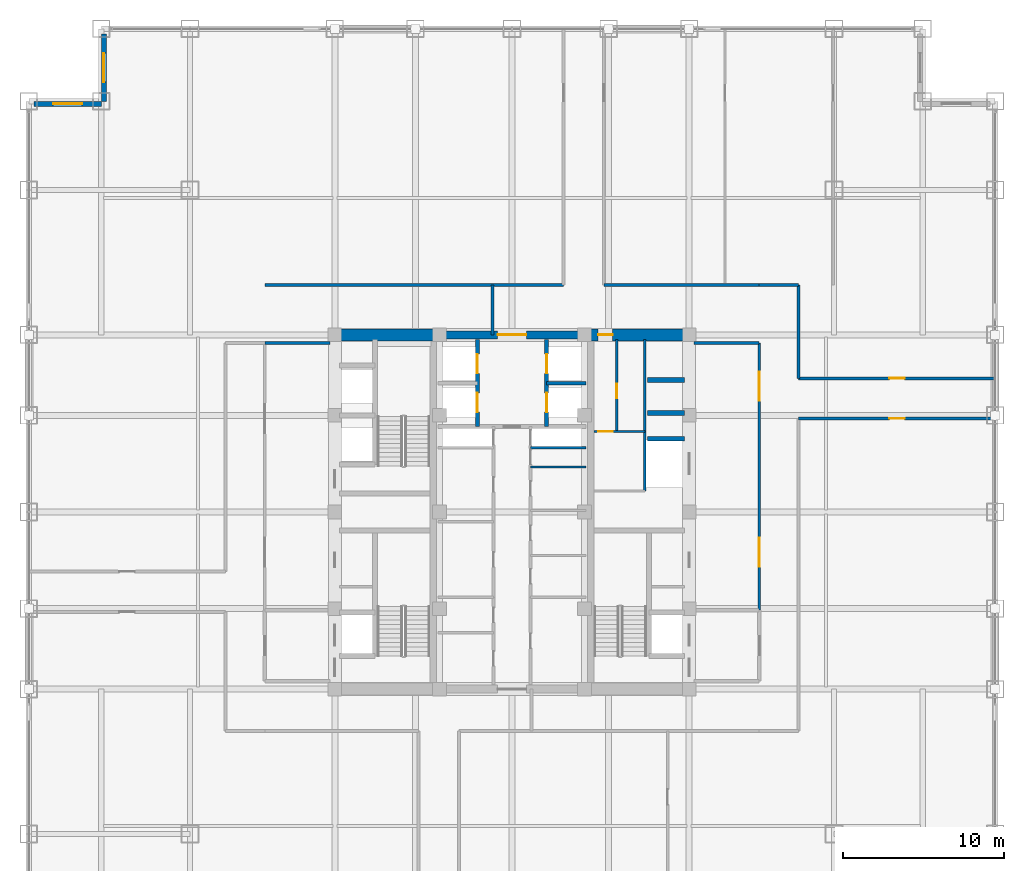
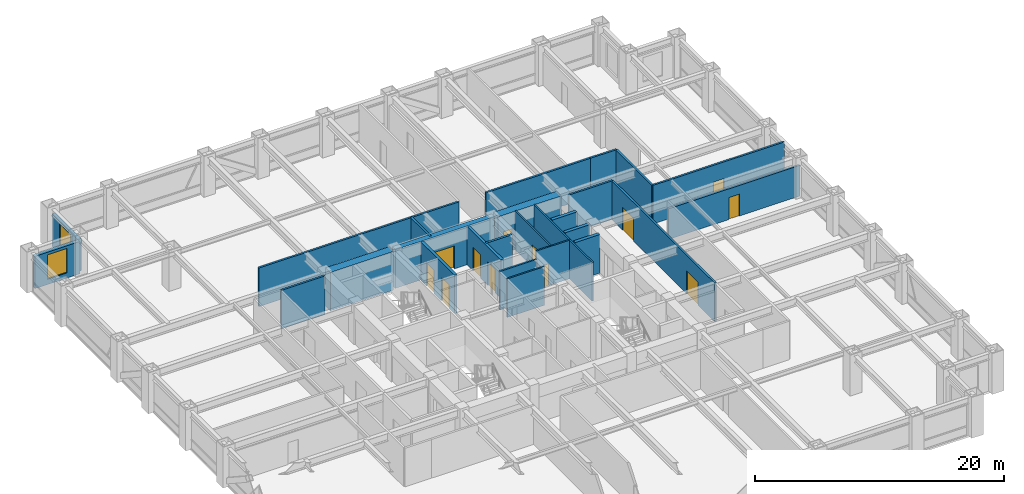
# One storey, part 22 of 24: 26 walls, 12 doors, 2 windows, 14 openings.
"""IFC4 building model written with IfcOpenShell, lengths in metres."""

from ifc_helpers import new_model, si_unit, direction, frame, frame_2d, origin, place, context, subcontext, project, spatial, rectangle, extrude, source, transform, mapped, material, layer, layer_set, type_object, element, fill, save


model = new_model("IFC4")

# Units and contexts
model_context = context("Model", 3, precision=1e-05, world=origin(), true_north=direction((0.0, 1.0)))
body_context = subcontext(model_context, "Body", "Model", "MODEL_VIEW")
ifc_project = project(units=[si_unit("LENGTHUNIT", "METRE"), si_unit("AREAUNIT", "SQUARE_METRE"), si_unit("VOLUMEUNIT", "CUBIC_METRE"), si_unit("PLANEANGLEUNIT", "RADIAN"), si_unit("MASSUNIT", "GRAM", prefix="KILO")], contexts=[model_context])

# Site, building, storey
site_placement = place(None, origin())
site = spatial("IfcSite", under=ifc_project, at=site_placement, CompositionType="ELEMENT")
building_placement = place(site_placement, origin())
building = spatial("IfcBuilding", under=site, at=building_placement, Name="Khorayat Bourse Tower", CompositionType="ELEMENT")
storey_placement = place(building_placement, frame((0.0, 0.0, 159.10009765625)))
storey = spatial("IfcBuildingStorey", under=building, at=storey_placement, Name="L36", CompositionType="ELEMENT", Elevation=159.10009765625)

# Wall
ifc_material_1 = material(Name="Concrete C72/90", Category="concrete")
ifc_layer_1 = layer(ifc_material_1, 0.75)
ifc_layer_set_1 = layer_set([ifc_layer_1], Name="Concrete C72/90")
wall_type_1 = type_object("IfcWallType", Name="WAL-CORE-750", PredefinedType="SHEAR", material=ifc_layer_set_1)
shared_shape_1 = source(origin(), body_context, "Body", "SweptSolid", [
    extrude(rectangle(XDim=5.849853515625, YDim=0.75, at=frame_2d((2.9248046875, 0.0))), origin(), (0.0, 0.0, 1.0), 3.77978515625),
])
wall_1_placement = place(storey_placement, frame((-10.699951171875, 11.0, 0.0), z_axis=(0.0, 0.0, 1.0), x_axis=(1.0, 0.0, 0.0)))
element("IfcWall", 1, at=wall_1_placement, inside=storey, type_object=wall_type_1, Name="L36 Core Shear Wall PIER-WN", PredefinedType="SHEAR", context=body_context, shape_type="MappedRepresentation", body=[
    mapped(shared_shape_1, transform((0.0, 0.0, 0.0), scale=1.0)),
])

# Wall, opening, door
wall_2_placement = place(storey_placement, frame((4.85009765625, 11.0, 0.0), z_axis=(0.0, 0.0, 1.0), x_axis=(1.0, 0.0, 0.0)))
wall_2 = element("IfcWall", 2, at=wall_2_placement, inside=storey, type_object=wall_type_1, Name="L36 Core Shear Wall PIER-EN", PredefinedType="SHEAR", context=body_context, shape_type="MappedRepresentation", body=[
    mapped(shared_shape_1, transform((0.0, 0.0, 0.0), scale=1.0)),
])
shared_shape_2 = source(origin(), body_context, "Body", "SweptSolid", [
    extrude(rectangle(XDim=0.89990234375, YDim=2.14990234375, at=frame_2d((0.449951171875, 1.074951171875))), frame((0.0, 0.385009765625, 0.0), z_axis=(0.0, -1.0, 0.0), x_axis=(1.0, 0.0, 0.0)), (0.0, 0.0, 1.0), 0.77001953125),
])
opening_1_placement = place(wall_2_placement, frame((0.5, 0.0, 0.0)))
opening_1 = element("IfcOpeningElement", 3, at=opening_1_placement, cuts=wall_2, Name="Opening DI-06", PredefinedType="OPENING", context=body_context, shape_type="MappedRepresentation", body=[
    mapped(shared_shape_2, transform((0.0, 0.0, 0.0), scale=1.0)),
])
ifc_material_2 = material(Name="Moisture-resistant laminate washroom door")
door_type_1 = type_object("IfcDoorType", Name="DR-INT-WC-900", OperationType="NOTDEFINED", PredefinedType="DOOR", material=ifc_material_2)
shared_shape_3 = source(origin(), body_context, "Body", "SweptSolid", [
    extrude(rectangle(XDim=0.89990234375, YDim=2.14990234375, at=frame_2d((0.449951171875, 1.074951171875))), frame((0.0, 0.02490234375, 0.0), z_axis=(0.0, -1.0, 0.0), x_axis=(1.0, 0.0, 0.0)), (0.0, 0.0, 1.0), 0.050048828125),
])
door_1_placement = place(opening_1_placement, origin())
door_1 = element("IfcDoor", 4, at=door_1_placement, inside=storey, type_object=door_type_1, Name="L36 Core Washroom Lobby Door", OperationType="SINGLE_SWING_LEFT", OverallHeight=2.14990234375, OverallWidth=0.89990234375, PredefinedType="DOOR", context=body_context, shape_type="MappedRepresentation", body=[
    mapped(shared_shape_3, transform((0.0, 0.0, 0.0), scale=1.0)),
])
fill(opening_1, door_1)

ifc_material_3 = material(Name="Concrete C52/65", Category="concrete")
ifc_layer_2 = layer(ifc_material_3, 0.5)
ifc_layer_set_2 = layer_set([ifc_layer_2], Name="Concrete C52/65")
wall_type_2 = type_object("IfcWallType", Name="WAL-CORE-500", PredefinedType="SHEAR", material=ifc_layer_set_2)
shared_shape_4 = source(origin(), body_context, "Body", "SweptSolid", [
    extrude(rectangle(XDim=9.2001953125, YDim=0.5, at=frame_2d((4.60009765625, 0.0))), origin(), (0.0, 0.0, 1.0), 3.77978515625),
])
wall_3_placement = place(storey_placement, frame((-4.60009765625, 11.0, 0.0), z_axis=(0.0, 0.0, 1.0), x_axis=(1.0, 0.0, 0.0)))
wall_3 = element("IfcWall", 5, at=wall_3_placement, inside=storey, type_object=wall_type_2, Name="L36 Core Shear Wall CORE-N", PredefinedType="SHEAR", context=body_context, shape_type="MappedRepresentation", body=[
    mapped(shared_shape_4, transform((0.0, 0.0, 0.0), scale=1.0)),
])
shared_shape_5 = source(origin(), body_context, "Body", "SweptSolid", [
    extrude(rectangle(XDim=1.800048828125, YDim=2.25, at=frame_2d((0.89990234375, 1.125))), frame((0.0, 0.260009765625, 0.0), z_axis=(0.0, -1.0, 0.0), x_axis=(1.0, 0.0, 0.0)), (0.0, 0.0, 1.0), 0.52001953125),
])
opening_2_placement = place(wall_3_placement, frame((3.699951171875, 0.0, 0.0)))
opening_2 = element("IfcOpeningElement", 6, at=opening_2_placement, cuts=wall_3, Name="Opening DI-03", PredefinedType="OPENING", context=body_context, shape_type="MappedRepresentation", body=[
    mapped(shared_shape_5, transform((0.0, 0.0, 0.0), scale=1.0)),
])
ifc_material_4 = material(Name="Fire-rated hardwood vision-panel double leaf", Category="wood")
door_type_2 = type_object("IfcDoorType", Name="DR-INT-CORR-1800", OperationType="NOTDEFINED", PredefinedType="DOOR", material=ifc_material_4)
shared_shape_6 = source(origin(), body_context, "Body", "SweptSolid", [
    extrude(rectangle(XDim=1.800048828125, YDim=2.25, at=frame_2d((0.89990234375, 1.125))), frame((0.0, 0.02490234375, 0.0), z_axis=(0.0, -1.0, 0.0), x_axis=(1.0, 0.0, 0.0)), (0.0, 0.0, 1.0), 0.050048828125),
])
door_2_placement = place(opening_2_placement, origin())
door_2 = element("IfcDoor", 7, at=door_2_placement, inside=storey, type_object=door_type_2, Name="L36 Mid-Rise Lift Lobby Door", OperationType="SINGLE_SWING_RIGHT", OverallHeight=2.25, OverallWidth=1.800048828125, PredefinedType="DOOR", context=body_context, shape_type="MappedRepresentation", body=[
    mapped(shared_shape_6, transform((0.0, 0.0, 0.0), scale=1.0)),
])
fill(opening_2, door_2)

# Wall, opening, window
ifc_material_5 = material(Name="Precast concrete C45/55", Category="concrete")
ifc_layer_3 = layer(ifc_material_5, 0.320068359375)
ifc_layer_set_3 = layer_set([ifc_layer_3], Name="Precast concrete C45/55")
wall_type_3 = type_object("IfcWallType", Name="WAL-EXT-STONE-320", PredefinedType="STANDARD", material=ifc_layer_set_3)
shared_shape_7 = source(origin(), body_context, "Body", "SweptSolid", [
    extrude(rectangle(XDim=4.179931640625, YDim=0.320068359375, at=frame_2d((2.08984375, 0.0))), origin(), (0.0, 0.0, 1.0), 3.163818359375),
])
wall_4_placement = place(storey_placement, frame((-25.340087890625, 25.5, 0.0), z_axis=(0.0, 0.0, 1.0), x_axis=(0.0, 1.0, 0.0)))
wall_4 = element("IfcWall", 8, at=wall_4_placement, inside=storey, type_object=wall_type_3, Name="L36 Re-Entrant Notch Limestone Wall NW-V", PredefinedType="STANDARD", context=body_context, shape_type="MappedRepresentation", body=[
    mapped(shared_shape_7, transform((0.0, 0.0, 0.0), scale=1.0)),
])
shared_shape_8 = source(origin(), body_context, "Body", "SweptSolid", [
    extrude(rectangle(XDim=1.800048828125, YDim=2.39990234375, at=frame_2d((0.89990234375, 1.199951171875))), frame((0.0, 0.169921875, 0.0), z_axis=(0.0, -1.0, 0.0), x_axis=(1.0, 0.0, 0.0)), (0.0, 0.0, 1.0), 0.340087890625),
])
opening_3_placement = place(wall_4_placement, frame((1.18994140625, 0.0, 0.5)))
opening_3 = element("IfcOpeningElement", 9, at=opening_3_placement, cuts=wall_4, Name="Opening WN-04", PredefinedType="OPENING", context=body_context, shape_type="MappedRepresentation", body=[
    mapped(shared_shape_8, transform((0.0, 0.0, 0.0), scale=1.0)),
])
ifc_material_6 = material(Name="Low-E acoustic laminated double glazing", Category="glass")
window_type = type_object("IfcWindowType", Name="WIN-NOTCH-1800x2400", PartitioningType="SINGLE_PANEL", PredefinedType="WINDOW", material=ifc_material_6)
shared_shape_9 = source(origin(), body_context, "Body", "SweptSolid", [
    extrude(rectangle(XDim=1.800048828125, YDim=2.39990234375, at=frame_2d((0.89990234375, 1.199951171875))), frame((0.0, 0.030029296875, 0.0), z_axis=(0.0, -1.0, 0.0), x_axis=(1.0, 0.0, 0.0)), (0.0, 0.0, 1.0), 0.06005859375),
])
window_1_placement = place(opening_3_placement, origin())
window_1 = element("IfcWindow", 10, at=window_1_placement, inside=storey, type_object=window_type, Name="L36 Facade Window 1", OverallHeight=2.39990234375, OverallWidth=1.800048828125, PartitioningType="SINGLE_PANEL", PredefinedType="WINDOW", context=body_context, shape_type="MappedRepresentation", body=[
    mapped(shared_shape_9, transform((0.0, 0.0, 0.0), scale=1.0)),
])
fill(opening_3, window_1)

wall_5_placement = place(storey_placement, frame((-25.5, 25.340087890625, 0.0), z_axis=(0.0, 0.0, 1.0), x_axis=(-1.0, 0.0, 0.0)))
wall_5 = element("IfcWall", 11, at=wall_5_placement, inside=storey, type_object=wall_type_3, Name="L36 Re-Entrant Notch Limestone Wall NW-H", PredefinedType="STANDARD", context=body_context, shape_type="MappedRepresentation", body=[
    mapped(shared_shape_7, transform((0.0, 0.0, 0.0), scale=1.0)),
])
opening_4_placement = place(wall_5_placement, frame((1.18994140625, 0.0, 0.5)))
opening_4 = element("IfcOpeningElement", 12, at=opening_4_placement, cuts=wall_5, Name="Opening WN-04", PredefinedType="OPENING", context=body_context, shape_type="MappedRepresentation", body=[
    mapped(shared_shape_8, transform((0.0, 0.0, 0.0), scale=1.0)),
])
window_2_placement = place(opening_4_placement, origin())
window_2 = element("IfcWindow", 13, at=window_2_placement, inside=storey, type_object=window_type, Name="L36 Facade Window 1", OverallHeight=2.39990234375, OverallWidth=1.800048828125, PartitioningType="SINGLE_PANEL", PredefinedType="WINDOW", context=body_context, shape_type="MappedRepresentation", body=[
    mapped(shared_shape_9, transform((0.0, 0.0, 0.0), scale=1.0)),
])
fill(opening_4, window_2)

# Walls
ifc_material_7 = material(Name="Concrete C50/60", Category="concrete")
ifc_layer_4 = layer(ifc_material_7, 0.300048828125)
ifc_layer_set_4 = layer_set([ifc_layer_4], Name="Concrete C50/60")
wall_type_4 = type_object("IfcWallType", Name="WAL-SHAFT-300", PredefinedType="SHEAR", material=ifc_layer_set_4)
shared_shape_10 = source(origin(), body_context, "Body", "SweptSolid", [
    extrude(rectangle(XDim=2.300048828125, YDim=0.300048828125, at=frame_2d((1.14990234375, 0.0))), origin(), (0.0, 0.0, 1.0), 3.77978515625),
])
for number, where, z_axis, x_axis, name in (
    (14, (8.39990234375, 4.550048828125, 0.0), (0.0, 0.0, 1.0), (1.0, 0.0, 0.0), "L36 Partition WAL-L36-EPIER-SVLN"),
    (15, (8.39990234375, 6.14990234375, 0.0), (0.0, 0.0, 1.0), (1.0, 0.0, 0.0), "L36 Partition WAL-L36-EPIER-H3S"),
    (16, (8.39990234375, 8.199951171875, 0.0), (0.0, 0.0, 1.0), (1.0, 0.0, 0.0), "L36 Partition WAL-L36-EPIER-H34"),
):
    element("IfcWall", number, at=place(storey_placement, frame(where, z_axis=z_axis, x_axis=x_axis)), inside=storey, type_object=wall_type_4, Name=name, PredefinedType="SHEAR", context=body_context, shape_type="MappedRepresentation", body=[
        mapped(shared_shape_10, transform((0.0, 0.0, 0.0), scale=1.0)),
    ])
ifc_material_8 = material(Name="Moisture-resistant masonry partition", Category="masonry")
ifc_layer_5 = layer(ifc_material_8, 0.139892578125)
ifc_layer_set_5 = layer_set([ifc_layer_5], Name="Moisture-resistant masonry partition")
wall_type_5 = type_object("IfcWallType", Name="WAL-PART-WET-140", PredefinedType="PARTITIONING", material=ifc_layer_set_5)
shared_shape_11 = source(origin(), body_context, "Body", "SweptSolid", [
    extrude(rectangle(XDim=9.39990234375, YDim=0.139892578125, at=frame_2d((4.699951171875, 0.0))), origin(), (0.0, 0.0, 1.0), 3.77978515625),
])
wall_6_placement = place(storey_placement, frame((8.25, 1.300048828125, 0.0), z_axis=(0.0, 0.0, 1.0), x_axis=(0.0, 1.0, 0.0)))
element("IfcWall", 17, at=wall_6_placement, inside=storey, type_object=wall_type_5, Name="L36 Partition WAL-L36-ECORE-E", PredefinedType="PARTITIONING", context=body_context, shape_type="MappedRepresentation", body=[
    mapped(shared_shape_11, transform((0.0, 0.0, 0.0), scale=1.0)),
])

# Wall, opening, door
shared_shape_12 = source(origin(), body_context, "Body", "SweptSolid", [
    extrude(rectangle(XDim=3.14990234375, YDim=0.139892578125, at=frame_2d((1.574951171875, 0.0))), origin(), (0.0, 0.0, 1.0), 3.77978515625),
])
wall_7_placement = place(storey_placement, frame((5.10009765625, 5.0, 0.0), z_axis=(0.0, 0.0, 1.0), x_axis=(1.0, 0.0, 0.0)))
wall_7 = element("IfcWall", 18, at=wall_7_placement, inside=storey, type_object=wall_type_5, Name="L36 Partition WAL-L36-ECW-BOT", PredefinedType="PARTITIONING", context=body_context, shape_type="MappedRepresentation", body=[
    mapped(shared_shape_12, transform((0.0, 0.0, 0.0), scale=1.0)),
])
shared_shape_13 = source(origin(), body_context, "Body", "SweptSolid", [
    extrude(rectangle(XDim=0.89990234375, YDim=2.14990234375, at=frame_2d((0.449951171875, 1.074951171875))), frame((0.0, 0.079833984375, 0.0), z_axis=(0.0, -1.0, 0.0), x_axis=(1.0, 0.0, 0.0)), (0.0, 0.0, 1.0), 0.159912109375),
])
opening_5_placement = place(wall_7_placement, frame((0.25, 0.0, 0.0)))
opening_5 = element("IfcOpeningElement", 19, at=opening_5_placement, cuts=wall_7, Name="Opening DI-06", PredefinedType="OPENING", context=body_context, shape_type="MappedRepresentation", body=[
    mapped(shared_shape_13, transform((0.0, 0.0, 0.0), scale=1.0)),
])
door_3_placement = place(opening_5_placement, origin())
door_3 = element("IfcDoor", 20, at=door_3_placement, inside=storey, type_object=door_type_1, Name="L36 Shared Washroom Door", OperationType="SINGLE_SWING_LEFT", OverallHeight=2.14990234375, OverallWidth=0.89990234375, PredefinedType="DOOR", context=body_context, shape_type="MappedRepresentation", body=[
    mapped(shared_shape_3, transform((0.0, 0.0, 0.0), scale=1.0)),
])
fill(opening_5, door_3)

# Walls
ifc_material_9 = material(Name="Gypsum plasterboard acoustic stud wall")
ifc_layer_6 = layer(ifc_material_9, 0.179931640625)
ifc_layer_set_6 = layer_set([ifc_layer_6], Name="Gypsum plasterboard acoustic stud wall")
wall_type_6 = type_object("IfcWallType", Name="WAL-PART-CORR-180", PredefinedType="PARTITIONING", material=ifc_layer_set_6)
shared_shape_14 = source(origin(), body_context, "Body", "SweptSolid", [
    extrude(rectangle(XDim=4.050048828125, YDim=0.179931640625, at=frame_2d((2.02490234375, 0.0))), origin(), (0.0, 0.0, 1.0), 3.77978515625),
])
for number, where, z_axis, x_axis, name in (
    (21, (-15.35009765625, 10.5, 0.0), (0.0, 0.0, 1.0), (1.0, 0.0, 0.0), "L36 Partition WAL-L36-WLOB-N"),
    (22, (11.300048828125, 10.5, 0.0), (0.0, 0.0, 1.0), (1.0, 0.0, 0.0), "L36 Partition WAL-L36-ELOB-N"),
):
    element("IfcWall", number, at=place(storey_placement, frame(where, z_axis=z_axis, x_axis=x_axis)), inside=storey, type_object=wall_type_6, Name=name, PredefinedType="PARTITIONING", context=body_context, shape_type="MappedRepresentation", body=[
        mapped(shared_shape_14, transform((0.0, 0.0, 0.0), scale=1.0)),
    ])

# Wall, openings, doors
shared_shape_15 = source(origin(), body_context, "Body", "SweptSolid", [
    extrude(rectangle(XDim=16.60009765625, YDim=0.179931640625, at=frame_2d((8.300048828125, 0.0))), origin(), (0.0, 0.0, 1.0), 3.77978515625),
])
wall_8_placement = place(storey_placement, frame((15.35009765625, -6.10009765625, 0.0), z_axis=(0.0, 0.0, 1.0), x_axis=(0.0, 1.0, 0.0)))
wall_8 = element("IfcWall", 23, at=wall_8_placement, inside=storey, type_object=wall_type_6, Name="L36 Partition WAL-L36-ELOB-E", PredefinedType="PARTITIONING", context=body_context, shape_type="MappedRepresentation", body=[
    mapped(shared_shape_15, transform((0.0, 0.0, 0.0), scale=1.0)),
])
shared_shape_16 = source(origin(), body_context, "Body", "SweptSolid", [
    extrude(rectangle(XDim=1.800048828125, YDim=2.25, at=frame_2d((0.89990234375, 1.125))), frame((0.0, 0.099853515625, 0.0), z_axis=(0.0, -1.0, 0.0), x_axis=(1.0, 0.0, 0.0)), (0.0, 0.0, 1.0), 0.199951171875),
])
opening_6_placement = place(wall_8_placement, frame((2.699951171875, 0.0, 0.0)))
opening_6 = element("IfcOpeningElement", 24, at=opening_6_placement, cuts=wall_8, Name="Opening DI-03", PredefinedType="OPENING", context=body_context, shape_type="MappedRepresentation", body=[
    mapped(shared_shape_16, transform((0.0, 0.0, 0.0), scale=1.0)),
])
opening_7_placement = place(wall_8_placement, frame((13.0, 0.0, 0.0)))
opening_7 = element("IfcOpeningElement", 25, at=opening_7_placement, cuts=wall_8, Name="Opening DI-03", PredefinedType="OPENING", context=body_context, shape_type="MappedRepresentation", body=[
    mapped(shared_shape_16, transform((0.0, 0.0, 0.0), scale=1.0)),
])
door_4_placement = place(opening_6_placement, origin())
door_4 = element("IfcDoor", 26, at=door_4_placement, inside=storey, type_object=door_type_2, Name="L36 East Core Lobby South Door", OperationType="SINGLE_SWING_RIGHT", OverallHeight=2.25, OverallWidth=1.800048828125, PredefinedType="DOOR", context=body_context, shape_type="MappedRepresentation", body=[
    mapped(shared_shape_6, transform((0.0, 0.0, 0.0), scale=1.0)),
])
fill(opening_6, door_4)
door_5_placement = place(opening_7_placement, origin())
door_5 = element("IfcDoor", 27, at=door_5_placement, inside=storey, type_object=door_type_2, Name="L36 East Core Lobby North Door", OperationType="SINGLE_SWING_LEFT", OverallHeight=2.25, OverallWidth=1.800048828125, PredefinedType="DOOR", context=body_context, shape_type="MappedRepresentation", body=[
    mapped(shared_shape_6, transform((0.0, 0.0, 0.0), scale=1.0)),
])
fill(opening_7, door_5)

# Walls
ifc_material_10 = material(Name="Gypsum plasterboard twin-frame partition")
ifc_layer_7 = layer(ifc_material_10, 0.14990234375)
ifc_layer_set_7 = layer_set([ifc_layer_7], Name="Gypsum plasterboard twin-frame partition")
wall_type_7 = type_object("IfcWallType", Name="WAL-PART-SUITE-150", PredefinedType="PARTITIONING", material=ifc_layer_set_7)
shared_shape_17 = source(origin(), body_context, "Body", "SweptSolid", [
    extrude(rectangle(XDim=3.4501953125, YDim=0.14990234375, at=frame_2d((1.72509765625, 0.0))), origin(), (0.0, 0.0, 1.0), 3.77978515625),
])
wall_9_placement = place(storey_placement, frame((1.14990234375, 4.0, 0.0), z_axis=(0.0, 0.0, 1.0), x_axis=(1.0, 0.0, 0.0)))
element("IfcWall", 28, at=wall_9_placement, inside=storey, type_object=wall_type_7, Name="L36 Partition WAL-L36-CRSE-S", PredefinedType="PARTITIONING", context=body_context, shape_type="MappedRepresentation", body=[
    mapped(shared_shape_17, transform((0.0, 0.0, 0.0), scale=1.0)),
])
shared_shape_18 = source(origin(), body_context, "Body", "SweptSolid", [
    extrude(rectangle(XDim=3.4501953125, YDim=0.139892578125, at=frame_2d((1.72509765625, 0.0))), origin(), (0.0, 0.0, 1.0), 3.77978515625),
])
wall_10_placement = place(storey_placement, frame((1.14990234375, 2.800048828125, 0.0), z_axis=(0.0, 0.0, 1.0), x_axis=(1.0, 0.0, 0.0)))
element("IfcWall", 29, at=wall_10_placement, inside=storey, type_object=wall_type_5, Name="L36 Partition WAL-L36-CME-D3", PredefinedType="PARTITIONING", context=body_context, shape_type="MappedRepresentation", body=[
    mapped(shared_shape_18, transform((0.0, 0.0, 0.0), scale=1.0)),
])

# Wall, openings, doors
shared_shape_19 = source(origin(), body_context, "Body", "SweptSolid", [
    extrude(rectangle(XDim=5.39990234375, YDim=0.25, at=frame_2d((2.699951171875, 0.0))), origin(), (0.0, 0.0, 1.0), 3.77978515625),
])
wall_11_placement = place(storey_placement, frame((-2.14990234375, 5.300048828125, 0.0), z_axis=(0.0, 0.0, 1.0), x_axis=(0.0, 1.0, 0.0)))
wall_11 = element("IfcWall", 30, at=wall_11_placement, inside=storey, type_object=wall_type_4, Name="L36 Partition WAL-L36-B2-W", PredefinedType="SHEAR", context=body_context, shape_type="MappedRepresentation", body=[
    mapped(shared_shape_19, transform((0.0, 0.0, 0.0), scale=1.0)),
])
shared_shape_20 = source(origin(), body_context, "Body", "SweptSolid", [
    extrude(rectangle(XDim=1.199951171875, YDim=2.300048828125, at=frame_2d((0.60009765625, 1.14990234375))), frame((0.0, 0.135009765625, 0.0), z_axis=(0.0, -1.0, 0.0), x_axis=(1.0, 0.0, 0.0)), (0.0, 0.0, 1.0), 0.27001953125),
])
opening_8_placement = place(wall_11_placement, frame((3.300048828125, 0.0, 0.0)))
opening_8 = element("IfcOpeningElement", 31, at=opening_8_placement, cuts=wall_11, Name="Opening LD-01", PredefinedType="OPENING", context=body_context, shape_type="MappedRepresentation", body=[
    mapped(shared_shape_20, transform((0.0, 0.0, 0.0), scale=1.0)),
])
opening_9_placement = place(wall_11_placement, frame((0.89990234375, 0.0, 0.0)))
opening_9 = element("IfcOpeningElement", 32, at=opening_9_placement, cuts=wall_11, Name="Opening LD-01", PredefinedType="OPENING", context=body_context, shape_type="MappedRepresentation", body=[
    mapped(shared_shape_20, transform((0.0, 0.0, 0.0), scale=1.0)),
])
ifc_material_11 = material(Name="Brushed bronze stainless-steel sliding door", Category="steel")
door_type_3 = type_object("IfcDoorType", Name="DR-LIFT-PASS-1200", OperationType="NOTDEFINED", PredefinedType="DOOR", material=ifc_material_11)
shared_shape_21 = source(origin(), body_context, "Body", "SweptSolid", [
    extrude(rectangle(XDim=1.199951171875, YDim=2.300048828125, at=frame_2d((0.60009765625, 1.14990234375))), frame((0.0, 0.02490234375, 0.0), z_axis=(0.0, -1.0, 0.0), x_axis=(1.0, 0.0, 0.0)), (0.0, 0.0, 1.0), 0.050048828125),
])
door_6_placement = place(opening_8_placement, origin())
door_6 = element("IfcDoor", 33, at=door_6_placement, inside=storey, type_object=door_type_3, Name="L36 Lift PL-M1 Sliding Landing Door", OperationType="SLIDING_TO_LEFT", OverallHeight=2.300048828125, OverallWidth=1.199951171875, PredefinedType="DOOR", context=body_context, shape_type="MappedRepresentation", body=[
    mapped(shared_shape_21, transform((0.0, 0.0, 0.0), scale=1.0)),
])
fill(opening_8, door_6)
door_7_placement = place(opening_9_placement, origin())
door_7 = element("IfcDoor", 34, at=door_7_placement, inside=storey, type_object=door_type_3, Name="L36 Lift PL-M3 Sliding Landing Door", OperationType="SLIDING_TO_LEFT", OverallHeight=2.300048828125, OverallWidth=1.199951171875, PredefinedType="DOOR", context=body_context, shape_type="MappedRepresentation", body=[
    mapped(shared_shape_21, transform((0.0, 0.0, 0.0), scale=1.0)),
])
fill(opening_9, door_7)

wall_12_placement = place(storey_placement, frame((2.14990234375, 5.300048828125, 0.0), z_axis=(0.0, 0.0, 1.0), x_axis=(0.0, 1.0, 0.0)))
wall_12 = element("IfcWall", 35, at=wall_12_placement, inside=storey, type_object=wall_type_4, Name="L36 Partition WAL-L36-B2-E", PredefinedType="SHEAR", context=body_context, shape_type="MappedRepresentation", body=[
    mapped(shared_shape_19, transform((0.0, 0.0, 0.0), scale=1.0)),
])
opening_10_placement = place(wall_12_placement, frame((3.300048828125, 0.0, 0.0)))
opening_10 = element("IfcOpeningElement", 36, at=opening_10_placement, cuts=wall_12, Name="Opening LD-01", PredefinedType="OPENING", context=body_context, shape_type="MappedRepresentation", body=[
    mapped(shared_shape_20, transform((0.0, 0.0, 0.0), scale=1.0)),
])
opening_11_placement = place(wall_12_placement, frame((0.89990234375, 0.0, 0.0)))
opening_11 = element("IfcOpeningElement", 37, at=opening_11_placement, cuts=wall_12, Name="Opening LD-01", PredefinedType="OPENING", context=body_context, shape_type="MappedRepresentation", body=[
    mapped(shared_shape_20, transform((0.0, 0.0, 0.0), scale=1.0)),
])
door_8_placement = place(opening_10_placement, origin())
door_8 = element("IfcDoor", 38, at=door_8_placement, inside=storey, type_object=door_type_3, Name="L36 Lift PL-M2 Sliding Landing Door", OperationType="SLIDING_TO_LEFT", OverallHeight=2.300048828125, OverallWidth=1.199951171875, PredefinedType="DOOR", context=body_context, shape_type="MappedRepresentation", body=[
    mapped(shared_shape_21, transform((0.0, 0.0, 0.0), scale=1.0)),
])
fill(opening_10, door_8)
door_9_placement = place(opening_11_placement, origin())
door_9 = element("IfcDoor", 39, at=door_9_placement, inside=storey, type_object=door_type_3, Name="L36 Lift PL-M4 Sliding Landing Door", OperationType="SLIDING_TO_LEFT", OverallHeight=2.300048828125, OverallWidth=1.199951171875, PredefinedType="DOOR", context=body_context, shape_type="MappedRepresentation", body=[
    mapped(shared_shape_21, transform((0.0, 0.0, 0.0), scale=1.0)),
])
fill(opening_11, door_9)

# Walls
shared_shape_22 = source(origin(), body_context, "Body", "SweptSolid", [
    extrude(rectangle(XDim=2.4501953125, YDim=0.199951171875, at=frame_2d((1.22509765625, 0.0))), origin(), (0.0, 0.0, 1.0), 3.77978515625),
])
wall_13_placement = place(storey_placement, frame((2.14990234375, 8.0, 0.0), z_axis=(0.0, 0.0, 1.0), x_axis=(1.0, 0.0, 0.0)))
element("IfcWall", 40, at=wall_13_placement, inside=storey, type_object=wall_type_4, Name="L36 Partition WAL-L36-B2-ME", PredefinedType="SHEAR", context=body_context, shape_type="MappedRepresentation", body=[
    mapped(shared_shape_22, transform((0.0, 0.0, 0.0), scale=1.0)),
])
shared_shape_23 = source(origin(), body_context, "Body", "SweptSolid", [
    extrude(rectangle(XDim=2.449951171875, YDim=0.179931640625, at=frame_2d((1.22509765625, 0.0))), origin(), (0.0, 0.0, 1.0), 3.77978515625),
])
wall_14_placement = place(storey_placement, frame((15.35009765625, 14.10009765625, 0.0), z_axis=(0.0, 0.0, 1.0), x_axis=(1.0, 0.0, 0.0)))
element("IfcWall", 41, at=wall_14_placement, inside=storey, type_object=wall_type_6, Name="L36 Partition WAL-L36-C2-EN", PredefinedType="PARTITIONING", context=body_context, shape_type="MappedRepresentation", body=[
    mapped(shared_shape_23, transform((0.0, 0.0, 0.0), scale=1.0)),
])

# Wall, opening, door
shared_shape_24 = source(origin(), body_context, "Body", "SweptSolid", [
    extrude(rectangle(XDim=12.199951171875, YDim=0.179931640625, at=frame_2d((6.10009765625, 0.0))), origin(), (0.0, 0.0, 1.0), 3.77978515625),
])
wall_15_placement = place(storey_placement, frame((17.800048828125, 8.300048828125, 0.0), z_axis=(0.0, 0.0, 1.0), x_axis=(1.0, 0.0, 0.0)))
wall_15 = element("IfcWall", 42, at=wall_15_placement, inside=storey, type_object=wall_type_6, Name="L36 Partition WAL-L36-EN-SPK", PredefinedType="PARTITIONING", context=body_context, shape_type="MappedRepresentation", body=[
    mapped(shared_shape_24, transform((0.0, 0.0, 0.0), scale=1.0)),
])
shared_shape_25 = source(origin(), body_context, "Body", "SweptSolid", [
    extrude(rectangle(XDim=0.949951171875, YDim=2.14990234375, at=frame_2d((0.47509765625, 1.074951171875))), frame((0.0, 0.099853515625, 0.0), z_axis=(0.0, -1.0, 0.0), x_axis=(1.0, 0.0, 0.0)), (0.0, 0.0, 1.0), 0.199951171875),
])
opening_12_placement = place(wall_15_placement, frame((5.625, 0.0, 0.0)))
opening_12 = element("IfcOpeningElement", 43, at=opening_12_placement, cuts=wall_15, Name="Opening DI-05", PredefinedType="OPENING", context=body_context, shape_type="MappedRepresentation", body=[
    mapped(shared_shape_25, transform((0.0, 0.0, 0.0), scale=1.0)),
])
ifc_material_12 = material(Name="Acoustic oak veneer office door")
door_type_4 = type_object("IfcDoorType", Name="DR-INT-OFFICE-950", OperationType="NOTDEFINED", PredefinedType="DOOR", material=ifc_material_12)
shared_shape_26 = source(origin(), body_context, "Body", "SweptSolid", [
    extrude(rectangle(XDim=0.949951171875, YDim=2.14990234375, at=frame_2d((0.47509765625, 1.074951171875))), frame((0.0, 0.02490234375, 0.0), z_axis=(0.0, -1.0, 0.0), x_axis=(1.0, 0.0, 0.0)), (0.0, 0.0, 1.0), 0.050048828125),
])
door_10_placement = place(opening_12_placement, origin())
door_10 = element("IfcDoor", 44, at=door_10_placement, inside=storey, type_object=door_type_4, Name="L36 Clearing Operations Office EN Door", OperationType="SINGLE_SWING_LEFT", OverallHeight=2.14990234375, OverallWidth=0.949951171875, PredefinedType="DOOR", context=body_context, shape_type="MappedRepresentation", body=[
    mapped(shared_shape_26, transform((0.0, 0.0, 0.0), scale=1.0)),
])
fill(opening_12, door_10)

shared_shape_27 = source(origin(), body_context, "Body", "SweptSolid", [
    extrude(rectangle(XDim=12.199951171875, YDim=0.179931640625, at=frame_2d((6.10009765625, 0.0))), origin(), (0.0, 0.0, 1.0), 3.0068359375),
])
wall_16_placement = place(storey_placement, frame((17.800048828125, 5.800048828125, 0.0), z_axis=(0.0, 0.0, 1.0), x_axis=(1.0, 0.0, 0.0)))
wall_16 = element("IfcWall", 45, at=wall_16_placement, inside=storey, type_object=wall_type_6, Name="L36 Partition WAL-L36-ES-SPK", PredefinedType="PARTITIONING", context=body_context, shape_type="MappedRepresentation", body=[
    mapped(shared_shape_27, transform((0.0, 0.0, 0.0), scale=1.0)),
])
opening_13_placement = place(wall_16_placement, frame((5.625, 0.0, 0.0)))
opening_13 = element("IfcOpeningElement", 46, at=opening_13_placement, cuts=wall_16, Name="Opening DI-05", PredefinedType="OPENING", context=body_context, shape_type="MappedRepresentation", body=[
    mapped(shared_shape_25, transform((0.0, 0.0, 0.0), scale=1.0)),
])
door_11_placement = place(opening_13_placement, origin())
door_11 = element("IfcDoor", 47, at=door_11_placement, inside=storey, type_object=door_type_4, Name="L36 Equities Trading Desk ES Door", OperationType="SINGLE_SWING_LEFT", OverallHeight=2.14990234375, OverallWidth=0.949951171875, PredefinedType="DOOR", context=body_context, shape_type="MappedRepresentation", body=[
    mapped(shared_shape_26, transform((0.0, 0.0, 0.0), scale=1.0)),
])
fill(opening_13, door_11)

shared_shape_28 = source(origin(), body_context, "Body", "SweptSolid", [
    extrude(rectangle(XDim=5.699951171875, YDim=0.139892578125, at=frame_2d((2.85009765625, 0.0))), origin(), (0.0, 0.0, 1.0), 3.77978515625),
])
wall_17_placement = place(storey_placement, frame((6.5, 5.0, 0.0), z_axis=(0.0, 0.0, 1.0), x_axis=(0.0, 1.0, 0.0)))
wall_17 = element("IfcWall", 48, at=wall_17_placement, inside=storey, type_object=wall_type_5, Name="L36 Partition WAL-L36-ECW-MID", PredefinedType="PARTITIONING", context=body_context, shape_type="MappedRepresentation", body=[
    mapped(shared_shape_28, transform((0.0, 0.0, 0.0), scale=1.0)),
])
opening_14_placement = place(wall_17_placement, frame((2.050048828125, 0.0, 0.0)))
opening_14 = element("IfcOpeningElement", 49, at=opening_14_placement, cuts=wall_17, Name="Opening DI-06", PredefinedType="OPENING", context=body_context, shape_type="MappedRepresentation", body=[
    mapped(shared_shape_13, transform((0.0, 0.0, 0.0), scale=1.0)),
])
door_12_placement = place(opening_14_placement, origin())
door_12 = element("IfcDoor", 50, at=door_12_placement, inside=storey, type_object=door_type_1, Name="L36 Accessible WC Door", OperationType="SINGLE_SWING_RIGHT", OverallHeight=2.14990234375, OverallWidth=0.89990234375, PredefinedType="DOOR", context=body_context, shape_type="MappedRepresentation", body=[
    mapped(shared_shape_3, transform((0.0, 0.0, 0.0), scale=1.0)),
])
fill(opening_14, door_12)

# Walls
shared_shape_29 = source(origin(), body_context, "Body", "SweptSolid", [
    extrude(rectangle(XDim=3.10009765625, YDim=0.179931640625, at=frame_2d((1.550048828125, 0.0))), origin(), (0.0, 0.0, 1.0), 3.77978515625),
])
wall_18_placement = place(storey_placement, frame((-1.199951171875, 11.0, 0.0), z_axis=(0.0, 0.0, 1.0), x_axis=(0.0, 1.0, 0.0)))
element("IfcWall", 51, at=wall_18_placement, inside=storey, type_object=wall_type_6, Name="L36 Partition WAL-L36-C2-NCW", PredefinedType="PARTITIONING", context=body_context, shape_type="MappedRepresentation", body=[
    mapped(shared_shape_29, transform((0.0, 0.0, 0.0), scale=1.0)),
])
shared_shape_30 = source(origin(), body_context, "Body", "SweptSolid", [
    extrude(rectangle(XDim=18.550048828125, YDim=0.179931640625, at=frame_2d((9.27490234375, 0.0))), origin(), (0.0, 0.0, 1.0), 3.77978515625),
])
wall_19_placement = place(storey_placement, frame((-15.35009765625, 14.10009765625, 0.0), z_axis=(0.0, 0.0, 1.0), x_axis=(1.0, 0.0, 0.0)))
element("IfcWall", 52, at=wall_19_placement, inside=storey, type_object=wall_type_6, Name="L36 Partition WAL-L36-QNW-HC", PredefinedType="PARTITIONING", context=body_context, shape_type="MappedRepresentation", body=[
    mapped(shared_shape_30, transform((0.0, 0.0, 0.0), scale=1.0)),
])
shared_shape_31 = source(origin(), body_context, "Body", "SweptSolid", [
    extrude(rectangle(XDim=9.650146484375, YDim=0.179931640625, at=frame_2d((4.8251953125, 0.0))), origin(), (0.0, 0.0, 1.0), 3.77978515625),
])
wall_20_placement = place(storey_placement, frame((5.699951171875, 14.10009765625, 0.0), z_axis=(0.0, 0.0, 1.0), x_axis=(1.0, 0.0, 0.0)))
element("IfcWall", 53, at=wall_20_placement, inside=storey, type_object=wall_type_6, Name="L36 Partition WAL-L36-QNE-HC", PredefinedType="PARTITIONING", context=body_context, shape_type="MappedRepresentation", body=[
    mapped(shared_shape_31, transform((0.0, 0.0, 0.0), scale=1.0)),
])
shared_shape_32 = source(origin(), body_context, "Body", "SweptSolid", [
    extrude(rectangle(XDim=5.800048828125, YDim=0.179931640625, at=frame_2d((2.89990234375, 0.0))), origin(), (0.0, 0.0, 1.0), 3.77978515625),
])
wall_21_placement = place(storey_placement, frame((17.800048828125, 8.300048828125, 0.0), z_axis=(0.0, 0.0, 1.0), x_axis=(0.0, 1.0, 0.0)))
element("IfcWall", 54, at=wall_21_placement, inside=storey, type_object=wall_type_6, Name="L36 Partition WAL-L36-EN-IN", PredefinedType="PARTITIONING", context=body_context, shape_type="MappedRepresentation", body=[
    mapped(shared_shape_32, transform((0.0, 0.0, 0.0), scale=1.0)),
])

save(model, "model.ifc")
